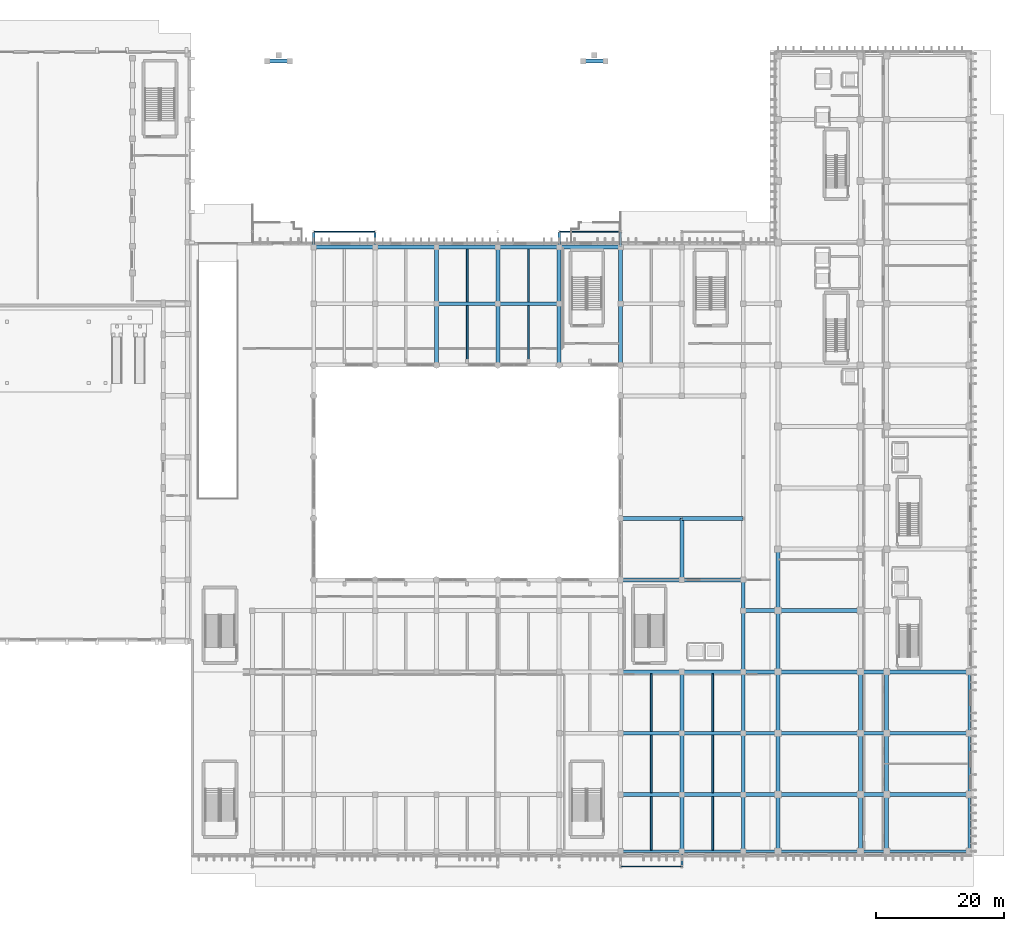
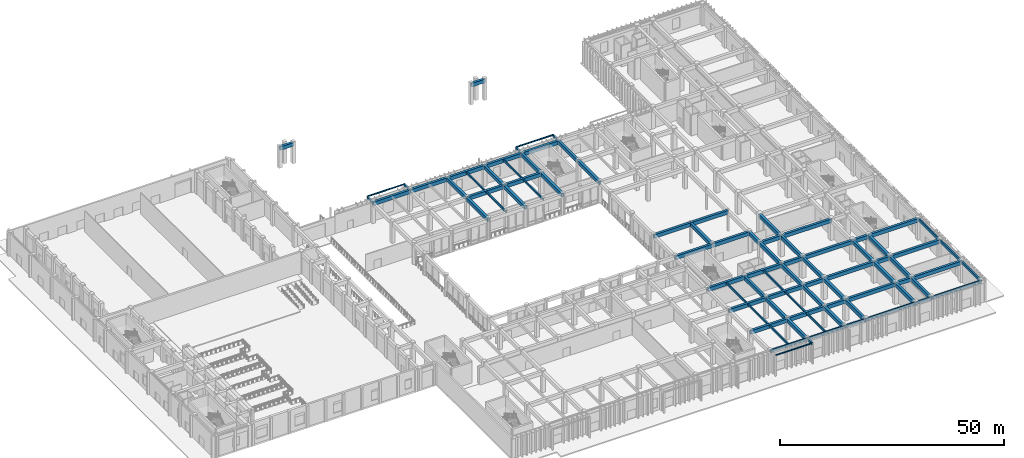
# One storey, part 35 of 87: 88 beams.
"""IFC4 building model written with IfcOpenShell, lengths in metres."""

from ifc_helpers import new_model, si_unit, direction, frame, origin, origin_2d, place, context, subcontext, project, spatial, rectangle, i_section, extrude, material, material_profile, profile_set, type_object, element, save


model = new_model("IFC4")

# Units and contexts
model_context = context("Model", 3, precision=1e-05, world=origin(), true_north=direction((0.0, 1.0)))
body_context = subcontext(model_context, "Body", "Model", "MODEL_VIEW")
ifc_project = project(units=[si_unit("LENGTHUNIT", "METRE"), si_unit("AREAUNIT", "SQUARE_METRE"), si_unit("VOLUMEUNIT", "CUBIC_METRE"), si_unit("PLANEANGLEUNIT", "RADIAN"), si_unit("MASSUNIT", "GRAM", prefix="KILO")], contexts=[model_context])

# Site, building, storey
site_placement = place(None, origin())
site = spatial("IfcSite", under=ifc_project, at=site_placement, CompositionType="ELEMENT")
building_placement = place(site_placement, origin())
building = spatial("IfcBuilding", under=site, at=building_placement, Name="Nakhvara Creek Congress Hotel", CompositionType="ELEMENT")
storey_placement = place(building_placement, origin())
storey = spatial("IfcBuildingStorey", under=building, at=storey_placement, Name="L00", CompositionType="ELEMENT", Elevation=0.0)

# Beams
ifc_material_1 = material(Name="Concrete C40/50", Category="concrete")
ifc_material_profile_1 = material_profile(ifc_material_1, rectangle(XDim=0.35009765625, YDim=0.550048828125, at=origin_2d()), Name="RC-BM 350x550", Category="LoadBearing")
ifc_profile_set_1 = profile_set([ifc_material_profile_1], Name="Concrete C40/50")
beam_type_1 = type_object("IfcBeamType", Name="BM-CANT-BOX", PredefinedType="BEAM", material=ifc_profile_set_1)
for number, where, z_axis, x_axis, name in (
    (1, (76.800048828125, 95.25, 5.425048828125), (0.0, 1.0, 0.0), (-1.0, 0.0, 0.0), "Foyer Box Outrigger Beam PBOX-L01-N1-76"),
    (2, (86.39990234375, 95.25, 5.425048828125), (0.0, 1.0, 0.0), (-1.0, 0.0, 0.0), "Foyer Box Outrigger Beam PBOX-L01-N1-86"),
    (3, (115.199951171875, 95.25, 5.425048828125), (0.0, 1.0, 0.0), (-1.0, 0.0, 0.0), "Foyer Box Outrigger Beam PBOX-L01-N2-115"),
    (4, (124.800048828125, 95.25, 5.425048828125), (0.0, 1.0, 0.0), (-1.0, 0.0, 0.0), "Foyer Box Outrigger Beam PBOX-L01-N2-124"),
    (5, (134.39990234375, 0.75, 5.425048828125), (0.0, -1.0, 0.0), (1.0, 0.0, 0.0), "Foyer Box Outrigger Beam PBOX-L01-S3-134"),
):
    element("IfcBeam", number, at=place(storey_placement, frame(where, z_axis=z_axis, x_axis=x_axis)), inside=storey, type_object=beam_type_1, Name=name, PredefinedType="BEAM", context=body_context, shape_type="SweptSolid", body=[
        extrude(rectangle(XDim=0.35009765625, YDim=0.550048828125, at=origin_2d()), origin(), (0.0, 0.0, 1.0), 2.39990234375),
    ])
ifc_material_profile_2 = material_profile(ifc_material_1, rectangle(XDim=0.300048828125, YDim=0.5, at=origin_2d()), Name="RC-BM 300x500", Category="LoadBearing")
ifc_profile_set_2 = profile_set([ifc_material_profile_2], Name="Concrete C40/50")
beam_type_2 = type_object("IfcBeamType", Name="BM-JST-300X500", PredefinedType="JOIST", material=ifc_profile_set_2)
beam_1_placement = place(storey_placement, frame((100.800048828125, 77.110107421875, 5.449951171875), z_axis=(0.0, 1.0, 0.0), x_axis=(-1.0, 0.0, 0.0)))
element("IfcBeam", 6, at=beam_1_placement, inside=storey, type_object=beam_type_2, Name="Secondary Joist BJ1-L00-1043", PredefinedType="JOIST", context=body_context, shape_type="SweptSolid", body=[
    extrude(rectangle(XDim=0.300048828125, YDim=0.5, at=origin_2d()), origin(), (0.0, 0.0, 1.0), 8.97998046875),
])
beam_2_placement = place(storey_placement, frame((100.800048828125, 86.7099609375, 5.449951171875), z_axis=(0.0, 1.0, 0.0), x_axis=(-1.0, 0.0, 0.0)))
element("IfcBeam", 7, at=beam_2_placement, inside=storey, type_object=beam_type_2, Name="Secondary Joist BJ1-L00-1044", PredefinedType="JOIST", context=body_context, shape_type="SweptSolid", body=[
    extrude(rectangle(XDim=0.300048828125, YDim=0.5, at=origin_2d()), origin(), (0.0, 0.0, 1.0), 8.22998046875),
])
beam_3_placement = place(storey_placement, frame((110.39990234375, 77.110107421875, 5.449951171875), z_axis=(0.0, 1.0, 0.0), x_axis=(-1.0, 0.0, 0.0)))
element("IfcBeam", 8, at=beam_3_placement, inside=storey, type_object=beam_type_2, Name="Secondary Joist BJ1-L00-1047", PredefinedType="JOIST", context=body_context, shape_type="SweptSolid", body=[
    extrude(rectangle(XDim=0.300048828125, YDim=0.5, at=origin_2d()), origin(), (0.0, 0.0, 1.0), 8.97998046875),
])
beam_4_placement = place(storey_placement, frame((110.39990234375, 86.7099609375, 5.449951171875), z_axis=(0.0, 1.0, 0.0), x_axis=(-1.0, 0.0, 0.0)))
element("IfcBeam", 9, at=beam_4_placement, inside=storey, type_object=beam_type_2, Name="Secondary Joist BJ1-L00-1048", PredefinedType="JOIST", context=body_context, shape_type="SweptSolid", body=[
    extrude(rectangle(XDim=0.300048828125, YDim=0.5, at=origin_2d()), origin(), (0.0, 0.0, 1.0), 8.22998046875),
])
beam_5_placement = place(storey_placement, frame((129.60009765625, 0.925048828125, 5.449951171875), z_axis=(0.0, 1.0, 0.0), x_axis=(-1.0, 0.0, 0.0)))
element("IfcBeam", 10, at=beam_5_placement, inside=storey, type_object=beam_type_2, Name="Secondary Joist BJ1-L00-1051", PredefinedType="JOIST", context=body_context, shape_type="SweptSolid", body=[
    extrude(rectangle(XDim=0.300048828125, YDim=0.5, at=origin_2d()), origin(), (0.0, 0.0, 1.0), 8.364990234375),
])
for number, where, z_axis, x_axis, name in (
    (11, (129.60009765625, 9.909912109375, 5.449951171875), (0.0, 1.0, 0.0), (-1.0, 0.0, 0.0), "Secondary Joist BJ1-L00-1052"),
    (12, (129.60009765625, 19.510009765625, 5.449951171875), (0.0, 1.0, 0.0), (-1.0, 0.0, 0.0), "Secondary Joist BJ1-L00-1053"),
):
    element("IfcBeam", number, at=place(storey_placement, frame(where, z_axis=z_axis, x_axis=x_axis)), inside=storey, type_object=beam_type_2, Name=name, PredefinedType="JOIST", context=body_context, shape_type="SweptSolid", body=[
        extrude(rectangle(XDim=0.300048828125, YDim=0.5, at=origin_2d()), origin(), (0.0, 0.0, 1.0), 8.97998046875),
    ])
beam_6_placement = place(storey_placement, frame((139.199951171875, 0.925048828125, 5.449951171875), z_axis=(0.0, 1.0, 0.0), x_axis=(-1.0, 0.0, 0.0)))
element("IfcBeam", 13, at=beam_6_placement, inside=storey, type_object=beam_type_2, Name="Secondary Joist BJ1-L00-1056", PredefinedType="JOIST", context=body_context, shape_type="SweptSolid", body=[
    extrude(rectangle(XDim=0.300048828125, YDim=0.5, at=origin_2d()), origin(), (0.0, 0.0, 1.0), 8.364990234375),
])
for number, where, z_axis, x_axis, name in (
    (14, (139.199951171875, 9.909912109375, 5.449951171875), (0.0, 1.0, 0.0), (-1.0, 0.0, 0.0), "Secondary Joist BJ1-L00-1057"),
    (15, (139.199951171875, 19.510009765625, 5.449951171875), (0.0, 1.0, 0.0), (-1.0, 0.0, 0.0), "Secondary Joist BJ1-L00-1058"),
):
    element("IfcBeam", number, at=place(storey_placement, frame(where, z_axis=z_axis, x_axis=x_axis)), inside=storey, type_object=beam_type_2, Name=name, PredefinedType="JOIST", context=body_context, shape_type="SweptSolid", body=[
        extrude(rectangle(XDim=0.300048828125, YDim=0.5, at=origin_2d()), origin(), (0.0, 0.0, 1.0), 8.97998046875),
    ])
ifc_material_2 = material(Name="Concrete C50/60", Category="concrete")
ifc_material_profile_3 = material_profile(ifc_material_2, rectangle(XDim=0.6201171875, YDim=1.0, at=origin_2d()), Name="RC-BM 620x1000", Category="LoadBearing")
ifc_profile_set_3 = profile_set([ifc_material_profile_3], Name="Concrete C50/60")
beam_type_3 = type_object("IfcBeamType", Name="BM-RC-620X1000", PredefinedType="BEAM", material=ifc_profile_set_3)
beam_7_placement = place(storey_placement, frame((76.800048828125, 95.25, 5.199951171875), z_axis=(1.0, 0.0, 0.0), x_axis=(0.0, 1.0, 0.0)))
element("IfcBeam", 16, at=beam_7_placement, inside=storey, type_object=beam_type_3, Name="Beam B16-L00-0828", PredefinedType="BEAM", context=body_context, shape_type="SweptSolid", body=[
    extrude(rectangle(XDim=0.6201171875, YDim=1.0, at=origin_2d()), origin(), (0.0, 0.0, 1.0), 9.599853515625),
])
beam_8_placement = place(storey_placement, frame((86.39990234375, 95.25, 5.199951171875), z_axis=(1.0, 0.0, 0.0), x_axis=(0.0, 1.0, 0.0)))
element("IfcBeam", 17, at=beam_8_placement, inside=storey, type_object=beam_type_3, Name="Beam B16-L00-0841", PredefinedType="BEAM", context=body_context, shape_type="SweptSolid", body=[
    extrude(rectangle(XDim=0.6201171875, YDim=1.0, at=origin_2d()), origin(), (0.0, 0.0, 1.0), 9.60009765625),
])
beam_9_placement = place(storey_placement, frame((96.0, 76.800048828125, 5.199951171875), z_axis=(0.0, 1.0, 0.0), x_axis=(-1.0, 0.0, 0.0)))
element("IfcBeam", 18, at=beam_9_placement, inside=storey, type_object=beam_type_3, Name="Beam B16-L00-0850", PredefinedType="BEAM", context=body_context, shape_type="SweptSolid", body=[
    extrude(rectangle(XDim=0.6201171875, YDim=1.0, at=origin_2d()), origin(), (0.0, 0.0, 1.0), 9.599853515625),
])
beam_10_placement = place(storey_placement, frame((96.0, 86.39990234375, 5.199951171875), z_axis=(0.0, 1.0, 0.0), x_axis=(-1.0, 0.0, 0.0)))
element("IfcBeam", 19, at=beam_10_placement, inside=storey, type_object=beam_type_3, Name="Beam B16-L00-0852", PredefinedType="BEAM", context=body_context, shape_type="SweptSolid", body=[
    extrude(rectangle(XDim=0.6201171875, YDim=1.0, at=origin_2d()), origin(), (0.0, 0.0, 1.0), 8.85009765625),
])
for number, where, z_axis, x_axis, name in (
    (20, (96.0, 86.39990234375, 5.199951171875), (1.0, 0.0, 0.0), (0.0, 1.0, 0.0), "Beam B16-L00-0853"),
    (21, (96.0, 95.25, 5.199951171875), (1.0, 0.0, 0.0), (0.0, 1.0, 0.0), "Beam B16-L00-0854"),
):
    element("IfcBeam", number, at=place(storey_placement, frame(where, z_axis=z_axis, x_axis=x_axis)), inside=storey, type_object=beam_type_3, Name=name, PredefinedType="BEAM", context=body_context, shape_type="SweptSolid", body=[
        extrude(rectangle(XDim=0.6201171875, YDim=1.0, at=origin_2d()), origin(), (0.0, 0.0, 1.0), 9.60009765625),
    ])
beam_11_placement = place(storey_placement, frame((105.60009765625, 76.800048828125, 5.199951171875), z_axis=(0.0, 1.0, 0.0), x_axis=(-1.0, 0.0, 0.0)))
element("IfcBeam", 22, at=beam_11_placement, inside=storey, type_object=beam_type_3, Name="Beam B16-L00-0863", PredefinedType="BEAM", context=body_context, shape_type="SweptSolid", body=[
    extrude(rectangle(XDim=0.6201171875, YDim=1.0, at=origin_2d()), origin(), (0.0, 0.0, 1.0), 9.599853515625),
])
beam_12_placement = place(storey_placement, frame((105.60009765625, 86.39990234375, 5.199951171875), z_axis=(0.0, 1.0, 0.0), x_axis=(-1.0, 0.0, 0.0)))
element("IfcBeam", 23, at=beam_12_placement, inside=storey, type_object=beam_type_3, Name="Beam B16-L00-0865", PredefinedType="BEAM", context=body_context, shape_type="SweptSolid", body=[
    extrude(rectangle(XDim=0.6201171875, YDim=1.0, at=origin_2d()), origin(), (0.0, 0.0, 1.0), 8.85009765625),
])
for number, where, z_axis, x_axis, name in (
    (24, (105.60009765625, 86.39990234375, 5.199951171875), (1.0, 0.0, 0.0), (0.0, 1.0, 0.0), "Beam B16-L00-0866"),
    (25, (105.60009765625, 95.25, 5.199951171875), (1.0, 0.0, 0.0), (0.0, 1.0, 0.0), "Beam B16-L00-0867"),
    (26, (115.199951171875, 76.800048828125, 5.199951171875), (0.0, 1.0, 0.0), (-1.0, 0.0, 0.0), "Beam B16-L00-0878"),
):
    element("IfcBeam", number, at=place(storey_placement, frame(where, z_axis=z_axis, x_axis=x_axis)), inside=storey, type_object=beam_type_3, Name=name, PredefinedType="BEAM", context=body_context, shape_type="SweptSolid", body=[
        extrude(rectangle(XDim=0.6201171875, YDim=1.0, at=origin_2d()), origin(), (0.0, 0.0, 1.0), 9.599853515625),
    ])
beam_13_placement = place(storey_placement, frame((115.199951171875, 86.39990234375, 5.199951171875), z_axis=(0.0, 1.0, 0.0), x_axis=(-1.0, 0.0, 0.0)))
element("IfcBeam", 27, at=beam_13_placement, inside=storey, type_object=beam_type_3, Name="Beam B16-L00-0880", PredefinedType="BEAM", context=body_context, shape_type="SweptSolid", body=[
    extrude(rectangle(XDim=0.6201171875, YDim=1.0, at=origin_2d()), origin(), (0.0, 0.0, 1.0), 8.85009765625),
])
beam_14_placement = place(storey_placement, frame((115.199951171875, 95.25, 5.199951171875), z_axis=(1.0, 0.0, 0.0), x_axis=(0.0, 1.0, 0.0)))
element("IfcBeam", 28, at=beam_14_placement, inside=storey, type_object=beam_type_3, Name="Beam B16-L00-0881", PredefinedType="BEAM", context=body_context, shape_type="SweptSolid", body=[
    extrude(rectangle(XDim=0.6201171875, YDim=1.0, at=origin_2d()), origin(), (0.0, 0.0, 1.0), 9.60009765625),
])
for number, where, z_axis, x_axis, name in (
    (29, (124.800048828125, 9.60009765625, 5.199951171875), (1.0, 0.0, 0.0), (0.0, 1.0, 0.0), "Beam B16-L00-0885"),
    (30, (124.800048828125, 19.199951171875, 5.199951171875), (1.0, 0.0, 0.0), (0.0, 1.0, 0.0), "Beam B16-L00-0887"),
    (31, (124.800048828125, 28.800048828125, 5.199951171875), (1.0, 0.0, 0.0), (0.0, 1.0, 0.0), "Beam B16-L00-0889"),
    (32, (124.800048828125, 43.199951171875, 5.199951171875), (1.0, 0.0, 0.0), (0.0, 1.0, 0.0), "Beam B16-L00-0892"),
    (33, (124.800048828125, 52.800048828125, 5.199951171875), (1.0, 0.0, 0.0), (0.0, 1.0, 0.0), "Beam B16-L00-0894"),
    (34, (124.800048828125, 76.800048828125, 5.199951171875), (0.0, 1.0, 0.0), (-1.0, 0.0, 0.0), "Beam B16-L00-0898"),
):
    element("IfcBeam", number, at=place(storey_placement, frame(where, z_axis=z_axis, x_axis=x_axis)), inside=storey, type_object=beam_type_3, Name=name, PredefinedType="BEAM", context=body_context, shape_type="SweptSolid", body=[
        extrude(rectangle(XDim=0.6201171875, YDim=1.0, at=origin_2d()), origin(), (0.0, 0.0, 1.0), 9.599853515625),
    ])
for number, where, z_axis, x_axis, name in (
    (35, (124.800048828125, 86.39990234375, 5.199951171875), (0.0, 1.0, 0.0), (-1.0, 0.0, 0.0), "Beam B16-L00-0900"),
    (36, (134.39990234375, 0.75, 5.199951171875), (0.0, 1.0, 0.0), (-1.0, 0.0, 0.0), "Beam B16-L00-0903"),
):
    element("IfcBeam", number, at=place(storey_placement, frame(where, z_axis=z_axis, x_axis=x_axis)), inside=storey, type_object=beam_type_3, Name=name, PredefinedType="BEAM", context=body_context, shape_type="SweptSolid", body=[
        extrude(rectangle(XDim=0.6201171875, YDim=1.0, at=origin_2d()), origin(), (0.0, 0.0, 1.0), 8.85009765625),
    ])
beam_15_placement = place(storey_placement, frame((134.39990234375, 9.60009765625, 5.199951171875), z_axis=(0.0, 1.0, 0.0), x_axis=(-1.0, 0.0, 0.0)))
element("IfcBeam", 37, at=beam_15_placement, inside=storey, type_object=beam_type_3, Name="Beam B16-L00-0905", PredefinedType="BEAM", context=body_context, shape_type="SweptSolid", body=[
    extrude(rectangle(XDim=0.6201171875, YDim=1.0, at=origin_2d()), origin(), (0.0, 0.0, 1.0), 9.599853515625),
])
for number, where, z_axis, x_axis, name in (
    (38, (134.39990234375, 9.60009765625, 5.199951171875), (1.0, 0.0, 0.0), (0.0, 1.0, 0.0), "Beam B16-L00-0906"),
    (39, (134.39990234375, 19.199951171875, 5.199951171875), (0.0, 1.0, 0.0), (-1.0, 0.0, 0.0), "Beam B16-L00-0907"),
    (40, (134.39990234375, 19.199951171875, 5.199951171875), (1.0, 0.0, 0.0), (0.0, 1.0, 0.0), "Beam B16-L00-0908"),
    (41, (134.39990234375, 28.800048828125, 5.199951171875), (1.0, 0.0, 0.0), (0.0, 1.0, 0.0), "Beam B16-L00-0909"),
    (42, (134.39990234375, 43.199951171875, 5.199951171875), (0.0, 1.0, 0.0), (-1.0, 0.0, 0.0), "Beam B16-L00-0910"),
    (43, (134.39990234375, 43.199951171875, 5.199951171875), (1.0, 0.0, 0.0), (0.0, 1.0, 0.0), "Beam B16-L00-0911"),
    (44, (134.39990234375, 52.800048828125, 5.199951171875), (1.0, 0.0, 0.0), (0.0, 1.0, 0.0), "Beam B16-L00-0912"),
):
    element("IfcBeam", number, at=place(storey_placement, frame(where, z_axis=z_axis, x_axis=x_axis)), inside=storey, type_object=beam_type_3, Name=name, PredefinedType="BEAM", context=body_context, shape_type="SweptSolid", body=[
        extrude(rectangle(XDim=0.6201171875, YDim=1.0, at=origin_2d()), origin(), (0.0, 0.0, 1.0), 9.60009765625),
    ])
beam_16_placement = place(storey_placement, frame((144.0, 0.75, 5.199951171875), z_axis=(0.0, 1.0, 0.0), x_axis=(-1.0, 0.0, 0.0)))
element("IfcBeam", 45, at=beam_16_placement, inside=storey, type_object=beam_type_3, Name="Beam B16-L00-0919", PredefinedType="BEAM", context=body_context, shape_type="SweptSolid", body=[
    extrude(rectangle(XDim=0.6201171875, YDim=1.0, at=origin_2d()), origin(), (0.0, 0.0, 1.0), 8.85009765625),
])
beam_17_placement = place(storey_placement, frame((144.0, 9.60009765625, 5.199951171875), z_axis=(0.0, 1.0, 0.0), x_axis=(-1.0, 0.0, 0.0)))
element("IfcBeam", 46, at=beam_17_placement, inside=storey, type_object=beam_type_3, Name="Beam B16-L00-0921", PredefinedType="BEAM", context=body_context, shape_type="SweptSolid", body=[
    extrude(rectangle(XDim=0.6201171875, YDim=1.0, at=origin_2d()), origin(), (0.0, 0.0, 1.0), 9.599853515625),
])
beam_18_placement = place(storey_placement, frame((144.0, 9.60009765625, 5.199951171875), z_axis=(1.0, 0.0, 0.0), x_axis=(0.0, 1.0, 0.0)))
element("IfcBeam", 47, at=beam_18_placement, inside=storey, type_object=beam_type_3, Name="Beam B16-L00-0922", PredefinedType="BEAM", context=body_context, shape_type="SweptSolid", body=[
    extrude(rectangle(XDim=0.6201171875, YDim=1.0, at=origin_2d()), origin(), (0.0, 0.0, 1.0), 5.449951171875),
])
beam_19_placement = place(storey_placement, frame((144.0, 19.199951171875, 5.199951171875), z_axis=(0.0, 1.0, 0.0), x_axis=(-1.0, 0.0, 0.0)))
element("IfcBeam", 48, at=beam_19_placement, inside=storey, type_object=beam_type_3, Name="Beam B16-L00-0923", PredefinedType="BEAM", context=body_context, shape_type="SweptSolid", body=[
    extrude(rectangle(XDim=0.6201171875, YDim=1.0, at=origin_2d()), origin(), (0.0, 0.0, 1.0), 9.60009765625),
])
beam_20_placement = place(storey_placement, frame((144.0, 19.199951171875, 5.199951171875), z_axis=(1.0, 0.0, 0.0), x_axis=(0.0, 1.0, 0.0)))
element("IfcBeam", 49, at=beam_20_placement, inside=storey, type_object=beam_type_3, Name="Beam B16-L00-0924", PredefinedType="BEAM", context=body_context, shape_type="SweptSolid", body=[
    extrude(rectangle(XDim=0.6201171875, YDim=1.0, at=origin_2d()), origin(), (0.0, 0.0, 1.0), 5.449951171875),
])
beam_21_placement = place(storey_placement, frame((144.0, 28.800048828125, 5.199951171875), z_axis=(0.0, 1.0, 0.0), x_axis=(-1.0, 0.0, 0.0)))
element("IfcBeam", 50, at=beam_21_placement, inside=storey, type_object=beam_type_3, Name="Beam B16-L00-0925", PredefinedType="BEAM", context=body_context, shape_type="SweptSolid", body=[
    extrude(rectangle(XDim=0.6201171875, YDim=1.0, at=origin_2d()), origin(), (0.0, 0.0, 1.0), 9.599853515625),
])
beam_22_placement = place(storey_placement, frame((144.0, 28.800048828125, 5.199951171875), z_axis=(1.0, 0.0, 0.0), x_axis=(0.0, 1.0, 0.0)))
element("IfcBeam", 51, at=beam_22_placement, inside=storey, type_object=beam_type_3, Name="Beam B16-L00-0926", PredefinedType="BEAM", context=body_context, shape_type="SweptSolid", body=[
    extrude(rectangle(XDim=0.6201171875, YDim=1.0, at=origin_2d()), origin(), (0.0, 0.0, 1.0), 5.449951171875),
])
beam_23_placement = place(storey_placement, frame((144.0, 38.39990234375, 5.199951171875), z_axis=(0.0, 1.0, 0.0), x_axis=(-1.0, 0.0, 0.0)))
element("IfcBeam", 52, at=beam_23_placement, inside=storey, type_object=beam_type_3, Name="Beam B16-L00-0927", PredefinedType="BEAM", context=body_context, shape_type="SweptSolid", body=[
    extrude(rectangle(XDim=0.6201171875, YDim=1.0, at=origin_2d()), origin(), (0.0, 0.0, 1.0), 4.800048828125),
])
beam_24_placement = place(storey_placement, frame((144.0, 38.39990234375, 5.199951171875), z_axis=(1.0, 0.0, 0.0), x_axis=(0.0, 1.0, 0.0)))
element("IfcBeam", 53, at=beam_24_placement, inside=storey, type_object=beam_type_3, Name="Beam B16-L00-0928", PredefinedType="BEAM", context=body_context, shape_type="SweptSolid", body=[
    extrude(rectangle(XDim=0.6201171875, YDim=1.0, at=origin_2d()), origin(), (0.0, 0.0, 1.0), 5.449951171875),
])
beam_25_placement = place(storey_placement, frame((149.449951171875, 0.75, 5.199951171875), z_axis=(0.0, 1.0, 0.0), x_axis=(-1.0, 0.0, 0.0)))
element("IfcBeam", 54, at=beam_25_placement, inside=storey, type_object=beam_type_3, Name="Beam B16-L00-0937", PredefinedType="BEAM", context=body_context, shape_type="SweptSolid", body=[
    extrude(rectangle(XDim=0.6201171875, YDim=1.0, at=origin_2d()), origin(), (0.0, 0.0, 1.0), 8.85009765625),
])
beam_26_placement = place(storey_placement, frame((149.449951171875, 9.60009765625, 5.199951171875), z_axis=(0.0, 1.0, 0.0), x_axis=(-1.0, 0.0, 0.0)))
element("IfcBeam", 55, at=beam_26_placement, inside=storey, type_object=beam_type_3, Name="Beam B16-L00-0939", PredefinedType="BEAM", context=body_context, shape_type="SweptSolid", body=[
    extrude(rectangle(XDim=0.6201171875, YDim=1.0, at=origin_2d()), origin(), (0.0, 0.0, 1.0), 9.599853515625),
])
beam_27_placement = place(storey_placement, frame((149.449951171875, 9.60009765625, 5.199951171875), z_axis=(1.0, 0.0, 0.0), x_axis=(0.0, 1.0, 0.0)))
element("IfcBeam", 56, at=beam_27_placement, inside=storey, type_object=beam_type_3, Name="Beam B16-L00-0940", PredefinedType="BEAM", context=body_context, shape_type="SweptSolid", body=[
    extrude(rectangle(XDim=0.6201171875, YDim=1.0, at=origin_2d()), origin(), (0.0, 0.0, 1.0), 12.900146484375),
])
beam_28_placement = place(storey_placement, frame((149.449951171875, 19.199951171875, 5.199951171875), z_axis=(0.0, 1.0, 0.0), x_axis=(-1.0, 0.0, 0.0)))
element("IfcBeam", 57, at=beam_28_placement, inside=storey, type_object=beam_type_3, Name="Beam B16-L00-0941", PredefinedType="BEAM", context=body_context, shape_type="SweptSolid", body=[
    extrude(rectangle(XDim=0.6201171875, YDim=1.0, at=origin_2d()), origin(), (0.0, 0.0, 1.0), 9.60009765625),
])
beam_29_placement = place(storey_placement, frame((149.449951171875, 19.199951171875, 5.199951171875), z_axis=(1.0, 0.0, 0.0), x_axis=(0.0, 1.0, 0.0)))
element("IfcBeam", 58, at=beam_29_placement, inside=storey, type_object=beam_type_3, Name="Beam B16-L00-0942", PredefinedType="BEAM", context=body_context, shape_type="SweptSolid", body=[
    extrude(rectangle(XDim=0.6201171875, YDim=1.0, at=origin_2d()), origin(), (0.0, 0.0, 1.0), 12.900146484375),
])
beam_30_placement = place(storey_placement, frame((149.449951171875, 28.800048828125, 5.199951171875), z_axis=(0.0, 1.0, 0.0), x_axis=(-1.0, 0.0, 0.0)))
element("IfcBeam", 59, at=beam_30_placement, inside=storey, type_object=beam_type_3, Name="Beam B16-L00-0943", PredefinedType="BEAM", context=body_context, shape_type="SweptSolid", body=[
    extrude(rectangle(XDim=0.6201171875, YDim=1.0, at=origin_2d()), origin(), (0.0, 0.0, 1.0), 9.599853515625),
])
beam_31_placement = place(storey_placement, frame((149.449951171875, 28.800048828125, 5.199951171875), z_axis=(1.0, 0.0, 0.0), x_axis=(0.0, 1.0, 0.0)))
element("IfcBeam", 60, at=beam_31_placement, inside=storey, type_object=beam_type_3, Name="Beam B16-L00-0944", PredefinedType="BEAM", context=body_context, shape_type="SweptSolid", body=[
    extrude(rectangle(XDim=0.6201171875, YDim=1.0, at=origin_2d()), origin(), (0.0, 0.0, 1.0), 12.900146484375),
])
beam_32_placement = place(storey_placement, frame((149.449951171875, 38.39990234375, 5.199951171875), z_axis=(0.0, 1.0, 0.0), x_axis=(-1.0, 0.0, 0.0)))
element("IfcBeam", 61, at=beam_32_placement, inside=storey, type_object=beam_type_3, Name="Beam B16-L00-0945", PredefinedType="BEAM", context=body_context, shape_type="SweptSolid", body=[
    extrude(rectangle(XDim=0.6201171875, YDim=1.0, at=origin_2d()), origin(), (0.0, 0.0, 1.0), 9.60009765625),
])
beam_33_placement = place(storey_placement, frame((149.449951171875, 38.39990234375, 5.199951171875), z_axis=(1.0, 0.0, 0.0), x_axis=(0.0, 1.0, 0.0)))
element("IfcBeam", 62, at=beam_33_placement, inside=storey, type_object=beam_type_3, Name="Beam B16-L00-0946", PredefinedType="BEAM", context=body_context, shape_type="SweptSolid", body=[
    extrude(rectangle(XDim=0.6201171875, YDim=1.0, at=origin_2d()), origin(), (0.0, 0.0, 1.0), 12.900146484375),
])
beam_34_placement = place(storey_placement, frame((162.35009765625, 0.75, 5.199951171875), z_axis=(0.0, 1.0, 0.0), x_axis=(-1.0, 0.0, 0.0)))
element("IfcBeam", 63, at=beam_34_placement, inside=storey, type_object=beam_type_3, Name="Beam B16-L00-0962", PredefinedType="BEAM", context=body_context, shape_type="SweptSolid", body=[
    extrude(rectangle(XDim=0.6201171875, YDim=1.0, at=origin_2d()), origin(), (0.0, 0.0, 1.0), 8.85009765625),
])
beam_35_placement = place(storey_placement, frame((162.35009765625, 9.60009765625, 5.199951171875), z_axis=(0.0, 1.0, 0.0), x_axis=(-1.0, 0.0, 0.0)))
element("IfcBeam", 64, at=beam_35_placement, inside=storey, type_object=beam_type_3, Name="Beam B16-L00-0964", PredefinedType="BEAM", context=body_context, shape_type="SweptSolid", body=[
    extrude(rectangle(XDim=0.6201171875, YDim=1.0, at=origin_2d()), origin(), (0.0, 0.0, 1.0), 9.599853515625),
])
beam_36_placement = place(storey_placement, frame((162.35009765625, 9.60009765625, 5.199951171875), z_axis=(1.0, 0.0, 0.0), x_axis=(0.0, 1.0, 0.0)))
element("IfcBeam", 65, at=beam_36_placement, inside=storey, type_object=beam_type_3, Name="Beam B16-L00-0965", PredefinedType="BEAM", context=body_context, shape_type="SweptSolid", body=[
    extrude(rectangle(XDim=0.6201171875, YDim=1.0, at=origin_2d()), origin(), (0.0, 0.0, 1.0), 4.099853515625),
])
beam_37_placement = place(storey_placement, frame((162.35009765625, 19.199951171875, 5.199951171875), z_axis=(0.0, 1.0, 0.0), x_axis=(-1.0, 0.0, 0.0)))
element("IfcBeam", 66, at=beam_37_placement, inside=storey, type_object=beam_type_3, Name="Beam B16-L00-0966", PredefinedType="BEAM", context=body_context, shape_type="SweptSolid", body=[
    extrude(rectangle(XDim=0.6201171875, YDim=1.0, at=origin_2d()), origin(), (0.0, 0.0, 1.0), 9.60009765625),
])
for number, where, z_axis, x_axis, name in (
    (67, (162.35009765625, 19.199951171875, 5.199951171875), (1.0, 0.0, 0.0), (0.0, 1.0, 0.0), "Beam B16-L00-0967"),
    (68, (162.35009765625, 28.800048828125, 5.199951171875), (1.0, 0.0, 0.0), (0.0, 1.0, 0.0), "Beam B16-L00-0969"),
):
    element("IfcBeam", number, at=place(storey_placement, frame(where, z_axis=z_axis, x_axis=x_axis)), inside=storey, type_object=beam_type_3, Name=name, PredefinedType="BEAM", context=body_context, shape_type="SweptSolid", body=[
        extrude(rectangle(XDim=0.6201171875, YDim=1.0, at=origin_2d()), origin(), (0.0, 0.0, 1.0), 4.099853515625),
    ])
beam_38_placement = place(storey_placement, frame((166.449951171875, 0.75, 5.199951171875), z_axis=(0.0, 1.0, 0.0), x_axis=(-1.0, 0.0, 0.0)))
element("IfcBeam", 69, at=beam_38_placement, inside=storey, type_object=beam_type_3, Name="Beam B16-L00-0989", PredefinedType="BEAM", context=body_context, shape_type="SweptSolid", body=[
    extrude(rectangle(XDim=0.6201171875, YDim=1.0, at=origin_2d()), origin(), (0.0, 0.0, 1.0), 8.85009765625),
])
beam_39_placement = place(storey_placement, frame((166.449951171875, 9.60009765625, 5.199951171875), z_axis=(0.0, 1.0, 0.0), x_axis=(-1.0, 0.0, 0.0)))
element("IfcBeam", 70, at=beam_39_placement, inside=storey, type_object=beam_type_3, Name="Beam B16-L00-0991", PredefinedType="BEAM", context=body_context, shape_type="SweptSolid", body=[
    extrude(rectangle(XDim=0.6201171875, YDim=1.0, at=origin_2d()), origin(), (0.0, 0.0, 1.0), 9.599853515625),
])
beam_40_placement = place(storey_placement, frame((166.449951171875, 9.60009765625, 5.199951171875), z_axis=(1.0, 0.0, 0.0), x_axis=(0.0, 1.0, 0.0)))
element("IfcBeam", 71, at=beam_40_placement, inside=storey, type_object=beam_type_3, Name="Beam B16-L00-0992", PredefinedType="BEAM", context=body_context, shape_type="SweptSolid", body=[
    extrude(rectangle(XDim=0.6201171875, YDim=1.0, at=origin_2d()), origin(), (0.0, 0.0, 1.0), 12.900146484375),
])
beam_41_placement = place(storey_placement, frame((166.449951171875, 19.199951171875, 5.199951171875), z_axis=(0.0, 1.0, 0.0), x_axis=(-1.0, 0.0, 0.0)))
element("IfcBeam", 72, at=beam_41_placement, inside=storey, type_object=beam_type_3, Name="Beam B16-L00-0993", PredefinedType="BEAM", context=body_context, shape_type="SweptSolid", body=[
    extrude(rectangle(XDim=0.6201171875, YDim=1.0, at=origin_2d()), origin(), (0.0, 0.0, 1.0), 9.60009765625),
])
for number, where, z_axis, x_axis, name in (
    (73, (166.449951171875, 19.199951171875, 5.199951171875), (1.0, 0.0, 0.0), (0.0, 1.0, 0.0), "Beam B16-L00-0994"),
    (74, (166.449951171875, 28.800048828125, 5.199951171875), (1.0, 0.0, 0.0), (0.0, 1.0, 0.0), "Beam B16-L00-0996"),
):
    element("IfcBeam", number, at=place(storey_placement, frame(where, z_axis=z_axis, x_axis=x_axis)), inside=storey, type_object=beam_type_3, Name=name, PredefinedType="BEAM", context=body_context, shape_type="SweptSolid", body=[
        extrude(rectangle(XDim=0.6201171875, YDim=1.0, at=origin_2d()), origin(), (0.0, 0.0, 1.0), 12.900146484375),
    ])
for number, where, z_axis, x_axis, name in (
    (75, (69.550048828125, 124.35009765625, 5.199951171875), (1.0, 0.0, 0.0), (0.0, 1.0, 0.0), "Beam B16-L00-1027"),
    (76, (118.949951171875, 124.35009765625, 5.199951171875), (1.0, 0.0, 0.0), (0.0, 1.0, 0.0), "Beam B16-L00-1028"),
):
    element("IfcBeam", number, at=place(storey_placement, frame(where, z_axis=z_axis, x_axis=x_axis)), inside=storey, type_object=beam_type_3, Name=name, PredefinedType="BEAM", context=body_context, shape_type="SweptSolid", body=[
        extrude(rectangle(XDim=0.6201171875, YDim=1.0, at=origin_2d()), origin(), (0.0, 0.0, 1.0), 3.5),
    ])
ifc_material_profile_4 = material_profile(ifc_material_1, rectangle(XDim=0.35009765625, YDim=0.75, at=origin_2d()), Name="RC-SPANDREL 350x750", Category="LoadBearing")
ifc_profile_set_4 = profile_set([ifc_material_profile_4], Name="Concrete C40/50")
beam_type_4 = type_object("IfcBeamType", Name="BM-SPN-350X750", PredefinedType="SPANDREL", material=ifc_profile_set_4)
beam_42_placement = place(storey_placement, frame((124.800048828125, 0.75, 5.324951171875), z_axis=(1.0, 0.0, 0.0), x_axis=(0.0, 1.0, 0.0)))
element("IfcBeam", 77, at=beam_42_placement, inside=storey, type_object=beam_type_4, Name="Beam SP1-L00-0883", PredefinedType="SPANDREL", context=body_context, shape_type="SweptSolid", body=[
    extrude(rectangle(XDim=0.35009765625, YDim=0.75, at=origin_2d()), origin(), (0.0, 0.0, 1.0), 9.599853515625),
])
beam_43_placement = place(storey_placement, frame((134.39990234375, 0.75, 5.324951171875), z_axis=(1.0, 0.0, 0.0), x_axis=(0.0, 1.0, 0.0)))
element("IfcBeam", 78, at=beam_43_placement, inside=storey, type_object=beam_type_4, Name="Beam SP1-L00-0904", PredefinedType="SPANDREL", context=body_context, shape_type="SweptSolid", body=[
    extrude(rectangle(XDim=0.35009765625, YDim=0.75, at=origin_2d()), origin(), (0.0, 0.0, 1.0), 9.60009765625),
])
beam_44_placement = place(storey_placement, frame((144.0, 0.75, 5.324951171875), z_axis=(1.0, 0.0, 0.0), x_axis=(0.0, 1.0, 0.0)))
element("IfcBeam", 79, at=beam_44_placement, inside=storey, type_object=beam_type_4, Name="Beam SP1-L00-0920", PredefinedType="SPANDREL", context=body_context, shape_type="SweptSolid", body=[
    extrude(rectangle(XDim=0.35009765625, YDim=0.75, at=origin_2d()), origin(), (0.0, 0.0, 1.0), 5.449951171875),
])
beam_45_placement = place(storey_placement, frame((149.449951171875, 0.75, 5.324951171875), z_axis=(1.0, 0.0, 0.0), x_axis=(0.0, 1.0, 0.0)))
element("IfcBeam", 80, at=beam_45_placement, inside=storey, type_object=beam_type_4, Name="Beam SP1-L00-0938", PredefinedType="SPANDREL", context=body_context, shape_type="SweptSolid", body=[
    extrude(rectangle(XDim=0.35009765625, YDim=0.75, at=origin_2d()), origin(), (0.0, 0.0, 1.0), 12.900146484375),
])
beam_46_placement = place(storey_placement, frame((162.35009765625, 0.75, 5.324951171875), z_axis=(1.0, 0.0, 0.0), x_axis=(0.0, 1.0, 0.0)))
element("IfcBeam", 81, at=beam_46_placement, inside=storey, type_object=beam_type_4, Name="Beam SP1-L00-0963", PredefinedType="SPANDREL", context=body_context, shape_type="SweptSolid", body=[
    extrude(rectangle(XDim=0.35009765625, YDim=0.75, at=origin_2d()), origin(), (0.0, 0.0, 1.0), 4.099853515625),
])
beam_47_placement = place(storey_placement, frame((166.449951171875, 0.75, 5.324951171875), z_axis=(1.0, 0.0, 0.0), x_axis=(0.0, 1.0, 0.0)))
element("IfcBeam", 82, at=beam_47_placement, inside=storey, type_object=beam_type_4, Name="Beam SP1-L00-0990", PredefinedType="SPANDREL", context=body_context, shape_type="SweptSolid", body=[
    extrude(rectangle(XDim=0.35009765625, YDim=0.75, at=origin_2d()), origin(), (0.0, 0.0, 1.0), 12.900146484375),
])
beam_48_placement = place(storey_placement, frame((179.35009765625, 0.75, 5.324951171875), z_axis=(0.0, 1.0, 0.0), x_axis=(-1.0, 0.0, 0.0)))
element("IfcBeam", 83, at=beam_48_placement, inside=storey, type_object=beam_type_4, Name="Beam SP1-L00-1014", PredefinedType="SPANDREL", context=body_context, shape_type="SweptSolid", body=[
    extrude(rectangle(XDim=0.35009765625, YDim=0.75, at=origin_2d()), origin(), (0.0, 0.0, 1.0), 8.85009765625),
])
beam_49_placement = place(storey_placement, frame((179.35009765625, 9.60009765625, 5.324951171875), z_axis=(0.0, 1.0, 0.0), x_axis=(-1.0, 0.0, 0.0)))
element("IfcBeam", 84, at=beam_49_placement, inside=storey, type_object=beam_type_4, Name="Beam SP1-L00-1015", PredefinedType="SPANDREL", context=body_context, shape_type="SweptSolid", body=[
    extrude(rectangle(XDim=0.35009765625, YDim=0.75, at=origin_2d()), origin(), (0.0, 0.0, 1.0), 9.599853515625),
])
beam_50_placement = place(storey_placement, frame((179.35009765625, 19.199951171875, 5.324951171875), z_axis=(0.0, 1.0, 0.0), x_axis=(-1.0, 0.0, 0.0)))
element("IfcBeam", 85, at=beam_50_placement, inside=storey, type_object=beam_type_4, Name="Beam SP1-L00-1016", PredefinedType="SPANDREL", context=body_context, shape_type="SweptSolid", body=[
    extrude(rectangle(XDim=0.35009765625, YDim=0.75, at=origin_2d()), origin(), (0.0, 0.0, 1.0), 9.60009765625),
])
ifc_material_3 = material(Name="Steel S355J2", Category="steel")
ifc_material_profile_5 = material_profile(ifc_material_3, i_section(OverallWidth=0.14599609375, OverallDepth=0.25146484375, WebThickness=0.006103515625, FlangeThickness=0.008544921875, FilletRadius=0.007568359375, at=origin_2d()), Name="UB 254x146x31", Category="LoadBearing")
ifc_profile_set_5 = profile_set([ifc_material_profile_5], Name="Steel S355J2")
beam_type_5 = type_object("IfcBeamType", Name="BM-ST-UB254", PredefinedType="SPANDREL", material=ifc_profile_set_5)
beam_51_placement = place(storey_placement, frame((76.800048828125, 97.64990234375, 5.654296875), z_axis=(1.0, 0.0, 0.0), x_axis=(0.0, 1.0, 0.0)))
element("IfcBeam", 86, at=beam_51_placement, inside=storey, type_object=beam_type_5, Name="Foyer Box Edge Spandrel PBOX-L01-N1", PredefinedType="SPANDREL", context=body_context, shape_type="SweptSolid", body=[
    extrude(i_section(OverallWidth=0.14599609375, OverallDepth=0.25146484375, WebThickness=0.006103515625, FlangeThickness=0.008544921875, FilletRadius=0.007568359375, at=origin_2d()), origin(), (0.0, 0.0, 1.0), 9.599853515625),
])
beam_52_placement = place(storey_placement, frame((115.199951171875, 97.64990234375, 5.654296875), z_axis=(1.0, 0.0, 0.0), x_axis=(0.0, 1.0, 0.0)))
element("IfcBeam", 87, at=beam_52_placement, inside=storey, type_object=beam_type_5, Name="Foyer Box Edge Spandrel PBOX-L01-N2", PredefinedType="SPANDREL", context=body_context, shape_type="SweptSolid", body=[
    extrude(i_section(OverallWidth=0.14599609375, OverallDepth=0.25146484375, WebThickness=0.006103515625, FlangeThickness=0.008544921875, FilletRadius=0.007568359375, at=origin_2d()), origin(), (0.0, 0.0, 1.0), 9.60009765625),
])
beam_53_placement = place(storey_placement, frame((124.800048828125, -1.64990234375, 5.654296875), z_axis=(1.0, 0.0, 0.0), x_axis=(0.0, 1.0, 0.0)))
element("IfcBeam", 88, at=beam_53_placement, inside=storey, type_object=beam_type_5, Name="Foyer Box Edge Spandrel PBOX-L01-S3", PredefinedType="SPANDREL", context=body_context, shape_type="SweptSolid", body=[
    extrude(i_section(OverallWidth=0.14599609375, OverallDepth=0.25146484375, WebThickness=0.006103515625, FlangeThickness=0.008544921875, FilletRadius=0.007568359375, at=origin_2d()), origin(), (0.0, 0.0, 1.0), 9.599853515625),
])

save(model, "model.ifc")
